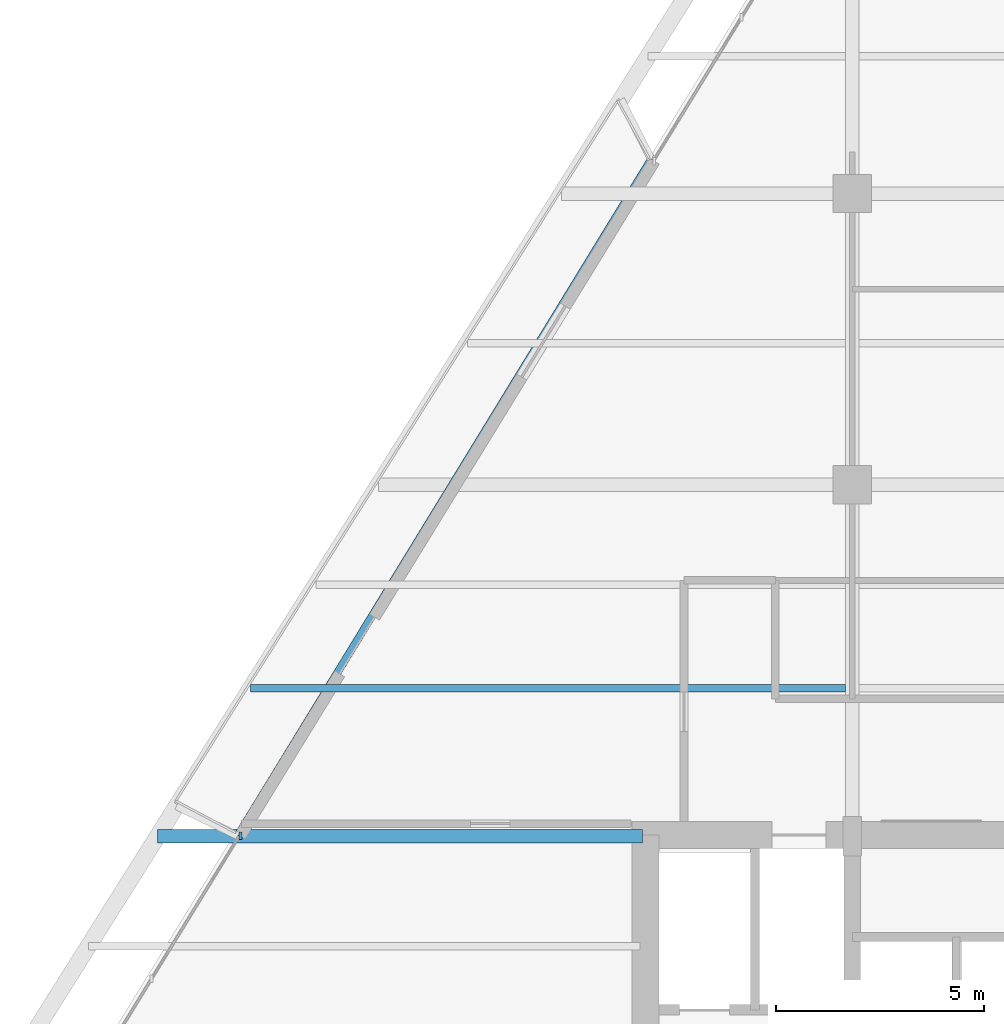
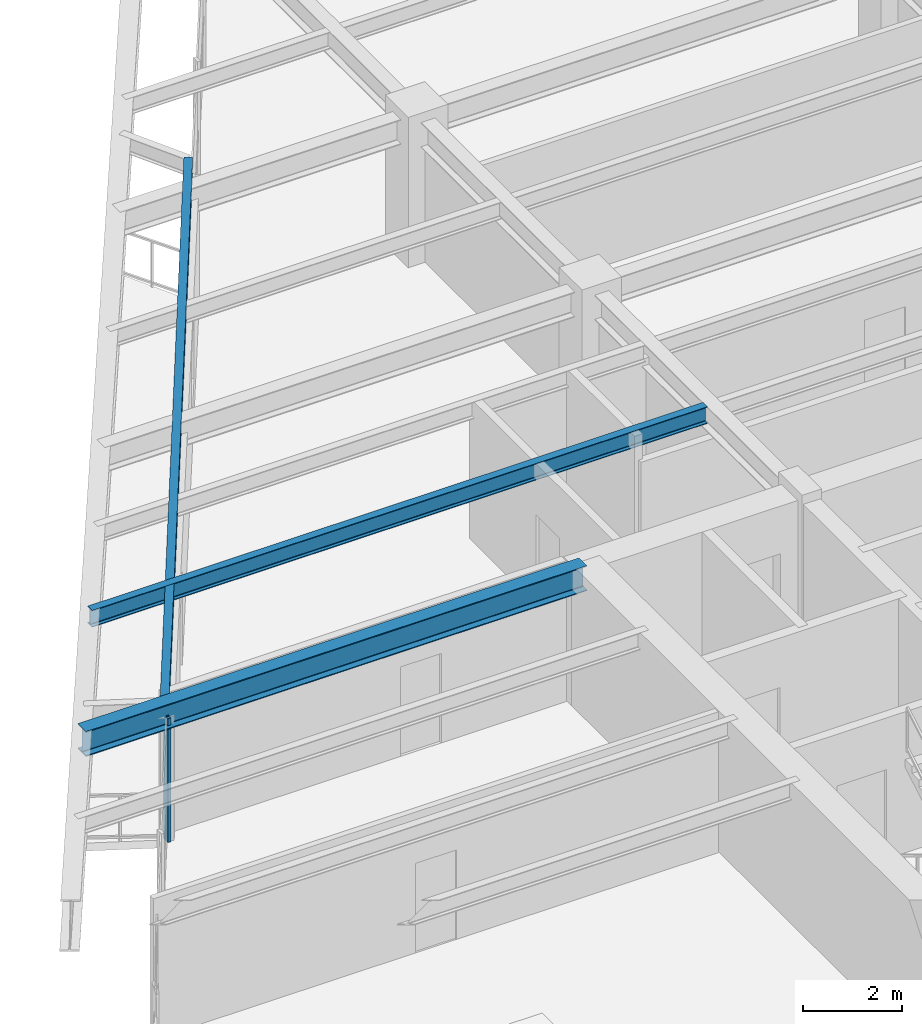
# One storey, part 4 of 15: 3 beams, 1 member, 1 element without a shape of its own.
"""IFC4 building model written with IfcOpenShell, lengths in metres."""

from ifc_helpers import new_model, si_unit, direction, frame, origin, origin_2d, place, context, subcontext, project, spatial, rectangle, i_section, extrude, source, transform, mapped, material, material_profile, profile_set, type_object, element, aggregate, save


model = new_model("IFC4")

# Units and contexts
model_context = context("Model", 3, precision=1e-05, world=origin(), true_north=direction((0.0, 1.0)))
body_context = subcontext(model_context, "Body", "Model", "MODEL_VIEW")
ifc_project = project(units=[si_unit("LENGTHUNIT", "METRE"), si_unit("AREAUNIT", "SQUARE_METRE"), si_unit("VOLUMEUNIT", "CUBIC_METRE"), si_unit("PLANEANGLEUNIT", "RADIAN"), si_unit("MASSUNIT", "GRAM", prefix="KILO")], contexts=[model_context])

# Site, building, storey
site_placement = place(None, origin())
site = spatial("IfcSite", under=ifc_project, at=site_placement, CompositionType="ELEMENT")
building_placement = place(site_placement, origin())
building = spatial("IfcBuilding", under=site, at=building_placement, Name="Varnakhor Terracotta Tower", CompositionType="ELEMENT")
storey_placement = place(building_placement, frame((0.0, 0.0, 196.89990234375)))
storey = spatial("IfcBuildingStorey", under=building, at=storey_placement, Name="L50", CompositionType="ELEMENT", Elevation=196.89990234375)

# Beams
ifc_material_1 = material(Name="Steel S355", Category="steel")
ifc_material_profile_1 = material_profile(ifc_material_1, i_section(OverallWidth=0.179931640625, OverallDepth=0.39990234375, WebThickness=0.008544921875, FlangeThickness=0.013427734375, FilletRadius=0.01806640625, at=origin_2d()), Name="IPE400")
ifc_profile_set_1 = profile_set([ifc_material_profile_1], Name="Steel S355")
beam_type_1 = type_object("IfcBeamType", Name="JST-IPE400", PredefinedType="JOIST", material=ifc_profile_set_1)
shared_shape_1 = source(origin(), body_context, "Body", "SweptSolid", [
    extrude(i_section(OverallWidth=0.179931640625, OverallDepth=0.39990234375, WebThickness=0.008544921875, FlangeThickness=0.013427734375, FilletRadius=0.01806640625, at=origin_2d()), origin(), (0.0, 0.0, 1.0), 19.0732421875),
])
beam_1_placement = place(storey_placement, frame((-10.333251953125, 32.330078125, 3.27001953125), z_axis=(-0.521608435387, -0.853184997602, 0.0), x_axis=(0.853184997602, -0.521608435387, 0.0)))
element("IfcBeam", 1, at=beam_1_placement, inside=storey, type_object=beam_type_1, Name="L50 Loggia Edge Beam 2", PredefinedType="JOIST", context=body_context, shape_type="MappedRepresentation", body=[
    mapped(shared_shape_1, transform((0.0, 0.0, 0.0), scale=1.0)),
])
ifc_material_profile_2 = material_profile(ifc_material_1, i_section(OverallWidth=0.324951171875, OverallDepth=0.615966796875, WebThickness=0.013916015625, FlangeThickness=0.02197265625, FilletRadius=0.01806640625, at=origin_2d()), Name="W24X117")
ifc_profile_set_2 = profile_set([ifc_material_profile_2], Name="Steel S355")
beam_type_2 = type_object("IfcBeamType", Name="BM-W24X117", PredefinedType="BEAM", material=ifc_profile_set_2)
shared_shape_2 = source(origin(), body_context, "Body", "SweptSolid", [
    extrude(i_section(OverallWidth=0.324951171875, OverallDepth=0.615966796875, WebThickness=0.013916015625, FlangeThickness=0.02197265625, FilletRadius=0.01806640625, at=origin_2d()), origin(), (0.0, 0.0, 1.0), 11.655517578125),
])
beam_2_placement = place(storey_placement, frame((-22.20556640625, 16.050048828125, 3.162109375), z_axis=(1.0, 0.0, 0.0), x_axis=(0.0, 1.0, 0.0)))
element("IfcBeam", 2, at=beam_2_placement, inside=storey, type_object=beam_type_2, Name="L50 Wing Girder W", PredefinedType="BEAM", context=body_context, shape_type="MappedRepresentation", body=[
    mapped(shared_shape_2, transform((0.0, 0.0, 0.0), scale=1.0)),
])
ifc_material_profile_3 = material_profile(ifc_material_1, i_section(OverallWidth=0.179931640625, OverallDepth=0.4130859375, WebThickness=0.009765625, FlangeThickness=0.01611328125, FilletRadius=0.01806640625, at=origin_2d()), Name="W16X50")
ifc_profile_set_3 = profile_set([ifc_material_profile_3], Name="Steel S355")
beam_type_3 = type_object("IfcBeamType", Name="JST-W16X50", PredefinedType="JOIST", material=ifc_profile_set_3)
shared_shape_3 = source(origin(), body_context, "Body", "SweptSolid", [
    extrude(i_section(OverallWidth=0.179931640625, OverallDepth=0.4130859375, WebThickness=0.009765625, FlangeThickness=0.01611328125, FilletRadius=0.01806640625, at=origin_2d()), origin(), (0.0, 0.0, 1.0), 14.314453125),
])
beam_3_placement = place(storey_placement, frame((-19.972900390625, 19.60009765625, 3.263671875), z_axis=(1.0, 0.0, 0.0), x_axis=(0.0, 1.0, 0.0)))
element("IfcBeam", 3, at=beam_3_placement, inside=storey, type_object=beam_type_3, Name="L50 Composite Floor Joist 4-1", PredefinedType="JOIST", context=body_context, shape_type="MappedRepresentation", body=[
    mapped(shared_shape_3, transform((0.0, 0.0, 0.0), scale=1.0)),
])

# Curtain wall, member
ifc_material_2 = material(Name="Anodised Aluminium Curtain Wall System", Category="aluminium")
curtain_wall_type = type_object("IfcCurtainWallType", Name="CW-SYS-MID-OFFICE", PredefinedType="NOTDEFINED", material=ifc_material_2)
curtain_wall_placement = place(storey_placement, origin())
curtain_wall = element("IfcCurtainWall", 4, at=curtain_wall_placement, inside=storey, type_object=curtain_wall_type, Name="L50 W Facet Curtain Wall 1", PredefinedType="NOTDEFINED")
ifc_material_3 = material(Name="Anodised Aluminium 6063-T6", Category="aluminium")
ifc_material_profile_4 = material_profile(ifc_material_3, rectangle(XDim=0.070068359375, YDim=0.175048828125, at=origin_2d()), Name="ALU MULLION 70x175")
ifc_profile_set_4 = profile_set([ifc_material_profile_4], Name="Anodised Aluminium 6063-T6")
member_type = type_object("IfcMemberType", Name="CWM-03", PredefinedType="MULLION", material=ifc_profile_set_4)
shared_shape_4 = source(origin(), body_context, "Body", "SweptSolid", [
    extrude(rectangle(XDim=0.070068359375, YDim=0.175048828125, at=origin_2d()), origin(), (0.0, 0.0, 1.0), 3.050048828125),
])
member_placement = place(storey_placement, frame((-20.21728515625, 16.059326171875, 0.0), z_axis=(0.0, 0.0, 1.0), x_axis=(1.0, 0.0, 0.0)))
member = element("IfcMember", 5, at=member_placement, type_object=member_type, Name="L50 W Loggia Jamb Closure Mullion 1", PredefinedType="MULLION", context=body_context, shape_type="MappedRepresentation", body=[
    mapped(shared_shape_4, transform((0.0, 0.0, 0.0), scale=1.0)),
])
aggregate(curtain_wall, [member])

save(model, "model.ifc")
